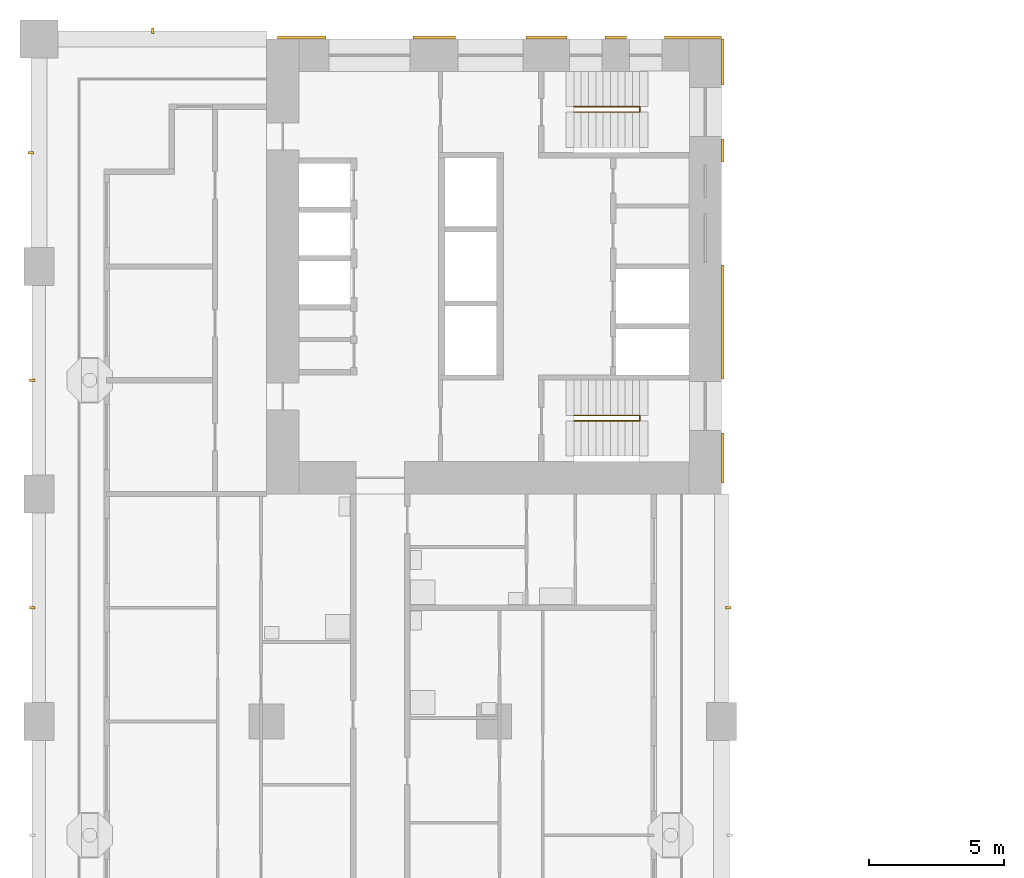
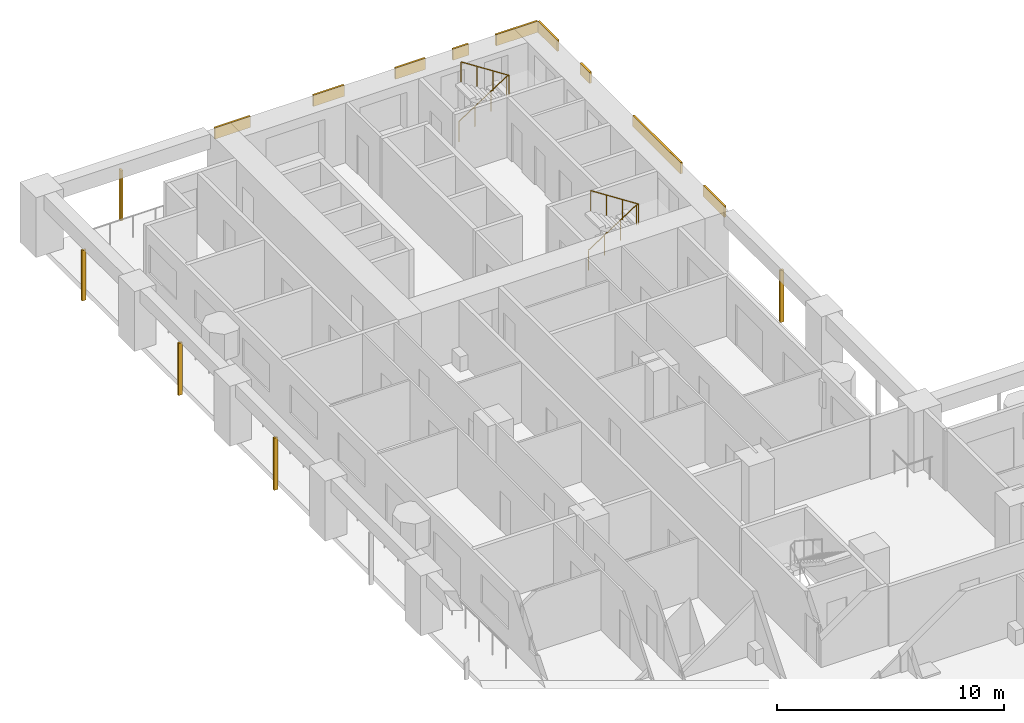
# One storey, part 15 of 20: 14 shading devices, 2 railings.
"""IFC4 building model written with IfcOpenShell, lengths in metres."""

from ifc_helpers import new_model, si_unit, direction, frame, origin, origin_2d, place, context, subcontext, project, spatial, rectangle, circle, extrude, material, layer, layer_set, material_profile, profile_set, type_object, element, save


model = new_model("IFC4")

# Units and contexts
model_context = context("Model", 3, precision=1e-05, world=origin(), true_north=direction((0.0, 1.0)))
body_context = subcontext(model_context, "Body", "Model", "MODEL_VIEW")
ifc_project = project(units=[si_unit("LENGTHUNIT", "METRE"), si_unit("AREAUNIT", "SQUARE_METRE"), si_unit("VOLUMEUNIT", "CUBIC_METRE"), si_unit("PLANEANGLEUNIT", "RADIAN"), si_unit("MASSUNIT", "GRAM", prefix="KILO")], contexts=[model_context])

# Site, building, storey
site_placement = place(None, origin())
site = spatial("IfcSite", under=ifc_project, at=site_placement, CompositionType="ELEMENT")
building_placement = place(site_placement, origin())
building = spatial("IfcBuilding", under=site, at=building_placement, Name="Vermilion Gate Residences", CompositionType="ELEMENT")
storey_placement = place(building_placement, frame((0.0, 0.0, 35.699951171875)))
storey = spatial("IfcBuildingStorey", under=building, at=storey_placement, Name="L07", CompositionType="ELEMENT", Elevation=35.699951171875)

# Railings
ifc_material_1 = material(Name="Steel S355", Category="steel")
railing_type = type_object("IfcRailingType", Name="STAIR GUARD 1100 STEEL", PredefinedType="GUARDRAIL", material=ifc_material_1)
for number, where, name in (
    (1, (19.75, 56.300048828125, 0.175048828125), "Stair well guard STB1-07"),
    (2, (19.75, 44.89990234375, 0.175048828125), "Stair well guard STB2-07"),
):
    element("IfcRailing", number, at=place(storey_placement, frame(where)), inside=storey, type_object=railing_type, Name=name, PredefinedType="GUARDRAIL", context=body_context, shape_type="SweptSolid", body=[
        extrude(circle(Radius=0.02392578125, at=origin_2d()), frame((0.0, 0.0, 1.076171875), z_axis=(0.839153699163, 0.0, 0.543894354798), x_axis=(0.0, 1.0, 0.0)), (0.0, 0.0, 1.0), 2.895751953125),
        extrude(circle(Radius=0.02392578125, at=origin_2d()), frame((2.429931640625, 0.0, 2.65087890625), z_axis=(0.0, -0.752405939678, 0.658699705433), x_axis=(1.0, 0.0, 0.0)), (0.0, 0.0, 1.0), 0.265869140625),
        extrude(circle(Radius=0.02392578125, at=origin_2d()), frame((2.429931640625, -0.199951171875, 2.826171875), z_axis=(-0.839153699163, 0.0, 0.543894354798), x_axis=(0.0, -1.0, 0.0)), (0.0, 0.0, 1.0), 2.895751953125),
        extrude(circle(Radius=0.02099609375, at=origin_2d()), origin(), (0.0, 0.0, 1.0), 1.052001953125),
        extrude(circle(Radius=0.02099609375, at=origin_2d()), frame((0.81005859375, 0.0, 0.52490234375)), (0.0, 0.0, 1.0), 1.052001953125),
        extrude(circle(Radius=0.02099609375, at=origin_2d()), frame((1.619873046875, 0.0, 1.050048828125)), (0.0, 0.0, 1.0), 1.052001953125),
        extrude(circle(Radius=0.02099609375, at=origin_2d()), frame((2.429931640625, 0.0, 1.574951171875)), (0.0, 0.0, 1.0), 1.052001953125),
        extrude(circle(Radius=0.02099609375, at=origin_2d()), frame((2.429931640625, -0.199951171875, 1.75)), (0.0, 0.0, 1.0), 1.052001953125),
        extrude(circle(Radius=0.02099609375, at=origin_2d()), frame((1.619873046875, -0.199951171875, 2.27490234375)), (0.0, 0.0, 1.0), 1.052001953125),
        extrude(circle(Radius=0.02099609375, at=origin_2d()), frame((0.81005859375, -0.199951171875, 2.800048828125)), (0.0, 0.0, 1.0), 1.052001953125),
        extrude(circle(Radius=0.02099609375, at=origin_2d()), frame((0.0, -0.199951171875, 3.324951171875)), (0.0, 0.0, 1.0), 1.052001953125),
    ])

# Shading devices
ifc_material_2 = material(Name="Extruded terracotta", Category="masonry")
ifc_material_profile = material_profile(ifc_material_2, rectangle(XDim=0.199951171875, YDim=0.10009765625, at=origin_2d()), Name="BAGUETTE 100 X 200")
ifc_profile_set = profile_set([ifc_material_profile], Name="Extruded terracotta")
shading_device_type_1 = type_object("IfcShadingDeviceType", Name="TERRACOTTA BAGUETTE 100 X 200", PredefinedType="JALOUSIE", material=ifc_profile_set)
shading_device_1_placement = place(storey_placement, frame((25.449951171875, 37.800048828125, -0.280029296875), z_axis=(0.0, 0.0, 1.0), x_axis=(-1.0, 0.0, 0.0)))
element("IfcShadingDevice", 3, at=shading_device_1_placement, inside=storey, type_object=shading_device_type_1, Name="BAGUETTE", PredefinedType="JALOUSIE", context=body_context, shape_type="SweptSolid", body=[
    extrude(rectangle(XDim=0.199951171875, YDim=0.10009765625, at=origin_2d()), origin(), (0.0, 0.0, 1.0), 2.800048828125),
])
shading_device_2_placement = place(storey_placement, frame((4.199951171875, 59.10009765625, -0.280029296875), z_axis=(0.0, 0.0, 1.0), x_axis=(0.0, -1.0, 0.0)))
element("IfcShadingDevice", 4, at=shading_device_2_placement, inside=storey, type_object=shading_device_type_1, Name="BAGUETTE", PredefinedType="JALOUSIE", context=body_context, shape_type="SweptSolid", body=[
    extrude(rectangle(XDim=0.199951171875, YDim=0.10009765625, at=origin_2d()), origin(), (0.0, 0.0, 1.0), 2.7001953125),
])
for number, where, z_axis, x_axis, name in (
    (5, (-0.25, 37.800048828125, -0.280029296875), (0.0, 0.0, 1.0), (1.0, 0.0, 0.0), "BAGUETTE"),
    (6, (-0.25, 46.199951171875, -0.280029296875), (0.0, 0.0, 1.0), (1.0, 0.0, 0.0), "BAGUETTE"),
):
    element("IfcShadingDevice", number, at=place(storey_placement, frame(where, z_axis=z_axis, x_axis=x_axis)), inside=storey, type_object=shading_device_type_1, Name=name, PredefinedType="JALOUSIE", context=body_context, shape_type="SweptSolid", body=[
        extrude(rectangle(XDim=0.199951171875, YDim=0.10009765625, at=origin_2d()), origin(), (0.0, 0.0, 1.0), 2.800048828125),
    ])
shading_device_3_placement = place(storey_placement, frame((-0.300048828125, 54.60009765625, -0.280029296875), z_axis=(0.0, 0.0, 1.0), x_axis=(1.0, 0.0, 0.0)))
element("IfcShadingDevice", 7, at=shading_device_3_placement, inside=storey, type_object=shading_device_type_1, Name="BAGUETTE", PredefinedType="JALOUSIE", context=body_context, shape_type="SweptSolid", body=[
    extrude(rectangle(XDim=0.199951171875, YDim=0.10009765625, at=origin_2d()), origin(), (0.0, 0.0, 1.0), 2.7001953125),
])
ifc_material_3 = material(Name="Extruded terracotta", Category="masonry")
ifc_layer = layer(ifc_material_3, 0.10009765625)
ifc_layer_set = layer_set([ifc_layer], Name="TERRACOTTA SPANDREL BAND 600 X 100")
shading_device_type_2 = type_object("IfcShadingDeviceType", Name="TERRACOTTA SPANDREL BAND 600 X 100", PredefinedType="USERDEFINED", material=ifc_layer_set)
shading_device_4_placement = place(storey_placement, frame((9.702392578125, 58.85009765625, 2.6201171875), z_axis=(0.0, 0.0, 1.0), x_axis=(1.0, 0.0, 0.0)))
element("IfcShadingDevice", 8, at=shading_device_4_placement, inside=storey, type_object=shading_device_type_2, Name="SPANDREL BAND", ObjectType="BAND", PredefinedType="USERDEFINED", context=body_context, shape_type="SweptSolid", body=[
    extrude(rectangle(XDim=1.804931640625, YDim=0.10009765625, at=origin_2d()), origin(), (0.0, 0.0, 1.0), 0.60009765625),
])
shading_device_5_placement = place(storey_placement, frame((14.590087890625, 58.85009765625, 2.6201171875), z_axis=(0.0, 0.0, 1.0), x_axis=(1.0, 0.0, 0.0)))
element("IfcShadingDevice", 9, at=shading_device_5_placement, inside=storey, type_object=shading_device_type_2, Name="SPANDREL BAND", ObjectType="BAND", PredefinedType="USERDEFINED", context=body_context, shape_type="SweptSolid", body=[
    extrude(rectangle(XDim=1.570068359375, YDim=0.10009765625, at=origin_2d()), origin(), (0.0, 0.0, 1.0), 0.60009765625),
])
shading_device_6_placement = place(storey_placement, frame((18.734130859375, 58.85009765625, 2.6201171875), z_axis=(0.0, 0.0, 1.0), x_axis=(1.0, 0.0, 0.0)))
element("IfcShadingDevice", 10, at=shading_device_6_placement, inside=storey, type_object=shading_device_type_2, Name="SPANDREL BAND", ObjectType="BAND", PredefinedType="USERDEFINED", context=body_context, shape_type="SweptSolid", body=[
    extrude(rectangle(XDim=1.518310546875, YDim=0.10009765625, at=origin_2d()), origin(), (0.0, 0.0, 1.0), 0.60009765625),
])
shading_device_7_placement = place(storey_placement, frame((21.294921875, 58.85009765625, 2.6201171875), z_axis=(0.0, 0.0, 1.0), x_axis=(1.0, 0.0, 0.0)))
element("IfcShadingDevice", 11, at=shading_device_7_placement, inside=storey, type_object=shading_device_type_2, Name="SPANDREL BAND", ObjectType="BAND", PredefinedType="USERDEFINED", context=body_context, shape_type="SweptSolid", body=[
    extrude(rectangle(XDim=0.803466796875, YDim=0.10009765625, at=origin_2d()), origin(), (0.0, 0.0, 1.0), 0.60009765625),
])
shading_device_8_placement = place(storey_placement, frame((24.1484375, 58.85009765625, 2.6201171875), z_axis=(0.0, 0.0, 1.0), x_axis=(1.0, 0.0, 0.0)))
element("IfcShadingDevice", 12, at=shading_device_8_placement, inside=storey, type_object=shading_device_type_2, Name="SPANDREL BAND", ObjectType="BAND", PredefinedType="USERDEFINED", context=body_context, shape_type="SweptSolid", body=[
    extrude(rectangle(XDim=2.103271484375, YDim=0.10009765625, at=origin_2d()), origin(), (0.0, 0.0, 1.0), 0.60009765625),
])
shading_device_9_placement = place(storey_placement, frame((25.25, 43.324951171875, 2.6201171875), z_axis=(0.0, 0.0, 1.0), x_axis=(0.0, 1.0, 0.0)))
element("IfcShadingDevice", 13, at=shading_device_9_placement, inside=storey, type_object=shading_device_type_2, Name="SPANDREL BAND", ObjectType="BAND", PredefinedType="USERDEFINED", context=body_context, shape_type="SweptSolid", body=[
    extrude(rectangle(XDim=1.85009765625, YDim=0.10009765625, at=origin_2d()), origin(), (0.0, 0.0, 1.0), 0.60009765625),
])
shading_device_10_placement = place(storey_placement, frame((25.25, 48.35009765625, 2.6201171875), z_axis=(0.0, 0.0, 1.0), x_axis=(0.0, 1.0, 0.0)))
element("IfcShadingDevice", 14, at=shading_device_10_placement, inside=storey, type_object=shading_device_type_2, Name="SPANDREL BAND", ObjectType="BAND", PredefinedType="USERDEFINED", context=body_context, shape_type="SweptSolid", body=[
    extrude(rectangle(XDim=4.199951171875, YDim=0.10009765625, at=origin_2d()), origin(), (0.0, 0.0, 1.0), 0.60009765625),
])
shading_device_11_placement = place(storey_placement, frame((25.25, 54.67822265625, 2.6201171875), z_axis=(0.0, 0.0, 1.0), x_axis=(0.0, 1.0, 0.0)))
element("IfcShadingDevice", 15, at=shading_device_11_placement, inside=storey, type_object=shading_device_type_2, Name="SPANDREL BAND", ObjectType="BAND", PredefinedType="USERDEFINED", context=body_context, shape_type="SweptSolid", body=[
    extrude(rectangle(XDim=0.84375, YDim=0.10009765625, at=origin_2d()), origin(), (0.0, 0.0, 1.0), 0.60009765625),
])
shading_device_12_placement = place(storey_placement, frame((25.25, 57.949951171875, 2.6201171875), z_axis=(0.0, 0.0, 1.0), x_axis=(0.0, 1.0, 0.0)))
element("IfcShadingDevice", 16, at=shading_device_12_placement, inside=storey, type_object=shading_device_type_2, Name="SPANDREL BAND", ObjectType="BAND", PredefinedType="USERDEFINED", context=body_context, shape_type="SweptSolid", body=[
    extrude(rectangle(XDim=1.699951171875, YDim=0.10009765625, at=origin_2d()), origin(), (0.0, 0.0, 1.0), 0.60009765625),
])

save(model, "model.ifc")
